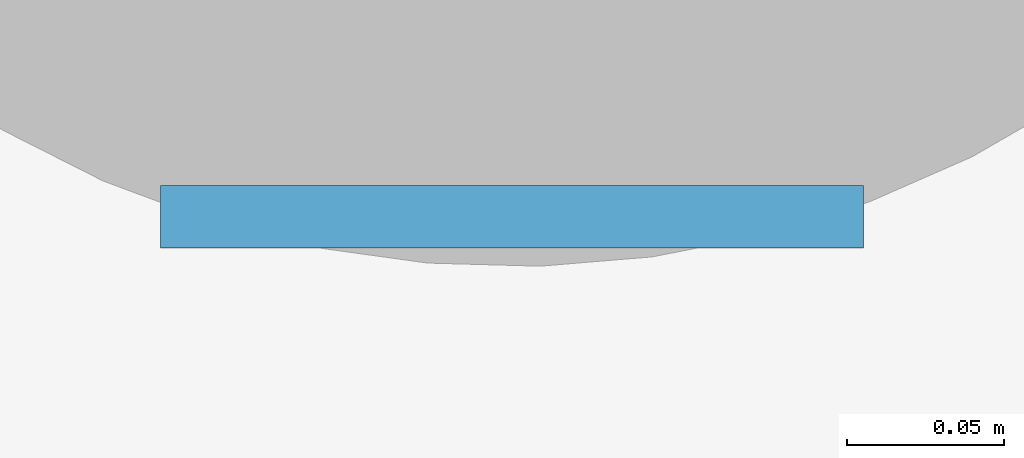
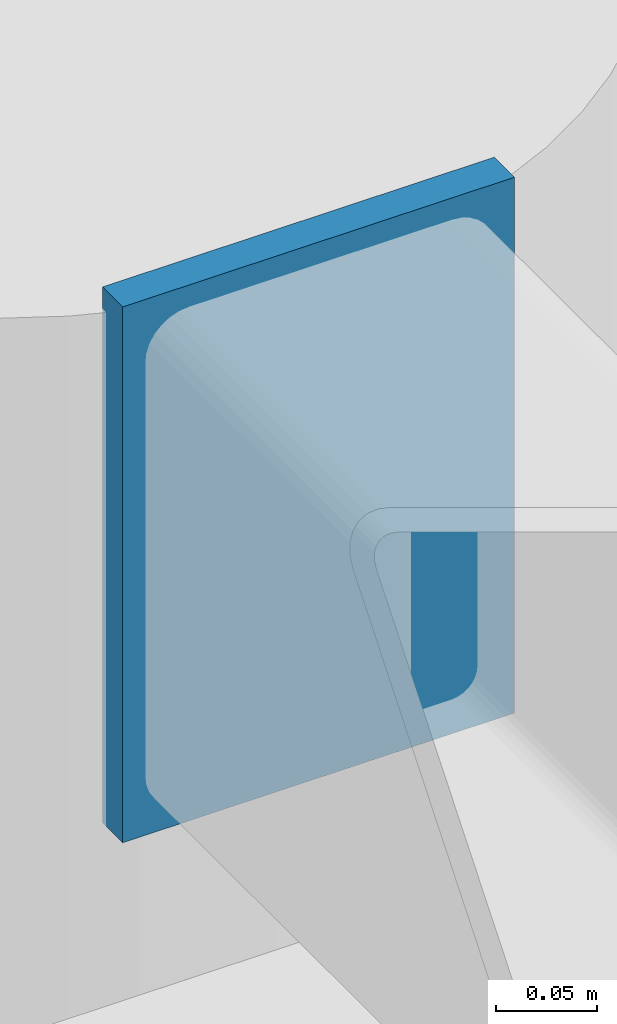
# One storey, part 118 of 138: 1 discrete accessory.
"""IFC4 building model written with IfcOpenShell, lengths in metres."""

from ifc_helpers import new_model, si_unit, direction, frame, origin, origin_2d, place, context, subcontext, project, spatial, rectangle, extrude, material, layer, layer_set, type_object, element, save


model = new_model("IFC4")

# Units and contexts
model_context = context("Model", 3, precision=1e-05, world=origin(), true_north=direction((0.0, 1.0)))
body_context = subcontext(model_context, "Body", "Model", "MODEL_VIEW")
ifc_project = project(units=[si_unit("LENGTHUNIT", "METRE"), si_unit("AREAUNIT", "SQUARE_METRE"), si_unit("VOLUMEUNIT", "CUBIC_METRE"), si_unit("PLANEANGLEUNIT", "RADIAN"), si_unit("MASSUNIT", "GRAM", prefix="KILO")], contexts=[model_context])

# Site, building, storey
site_placement = place(None, origin())
site = spatial("IfcSite", under=ifc_project, at=site_placement, CompositionType="ELEMENT")
building_placement = place(site_placement, origin())
building = spatial("IfcBuilding", under=site, at=building_placement, Name="Kranzveld Transit Interchange", CompositionType="ELEMENT")
storey_placement = place(building_placement, origin())
storey = spatial("IfcBuildingStorey", under=building, at=storey_placement, Name="L00", CompositionType="ELEMENT", Elevation=0.0)

# Discrete accessory
ifc_material = material(Name="Steel S355JR", Category="steel")
ifc_layer = layer(ifc_material, 0.02001953125)
ifc_layer_set = layer_set([ifc_layer], Name="Steel S355JR")
discrete_accessory_type = type_object("IfcDiscreteAccessoryType", Name="Hollow Section End Cap Bracket 20 S355JR", PredefinedType="BRACKET", material=ifc_layer_set)
discrete_accessory_placement = place(storey_placement, frame((134.39990234375, 55.680908203125, 5.0), z_axis=(0.0, 1.0, 0.0), x_axis=(-1.0, 0.0, 0.0)))
element("IfcDiscreteAccessory", 1, at=discrete_accessory_placement, inside=storey, type_object=discrete_accessory_type, Name="Hollow Section End Cap SP-RHS300-2", PredefinedType="BRACKET", context=body_context, shape_type="SweptSolid", body=[
    extrude(rectangle(XDim=0.22412109375, YDim=0.323974609375, at=origin_2d()), origin(), (0.0, 0.0, 1.0), 0.02001953125),
])

save(model, "model.ifc")
